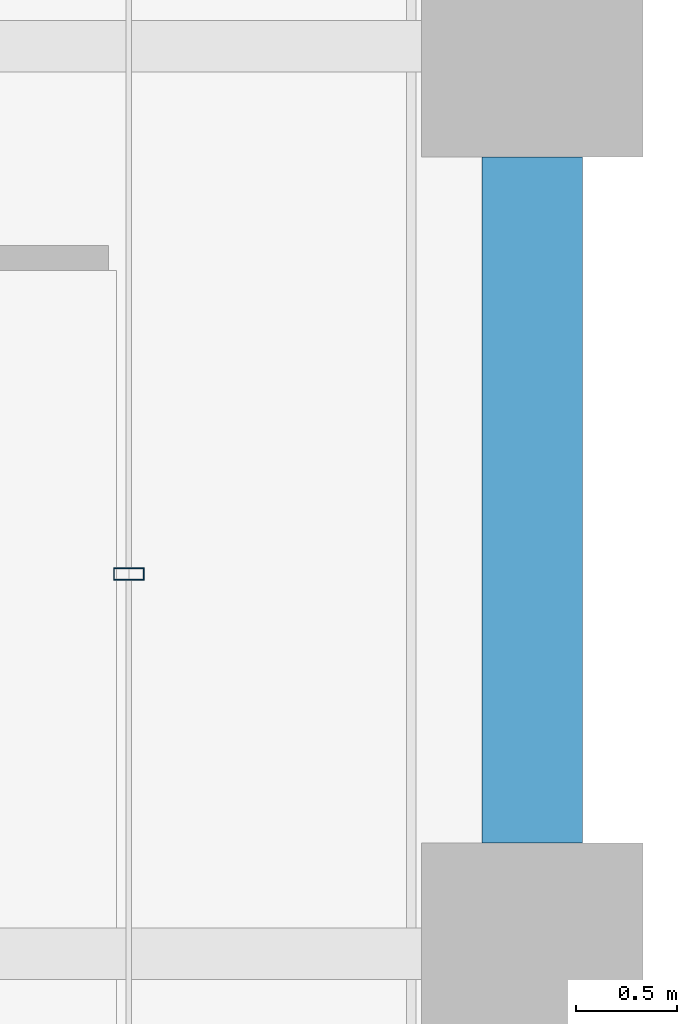
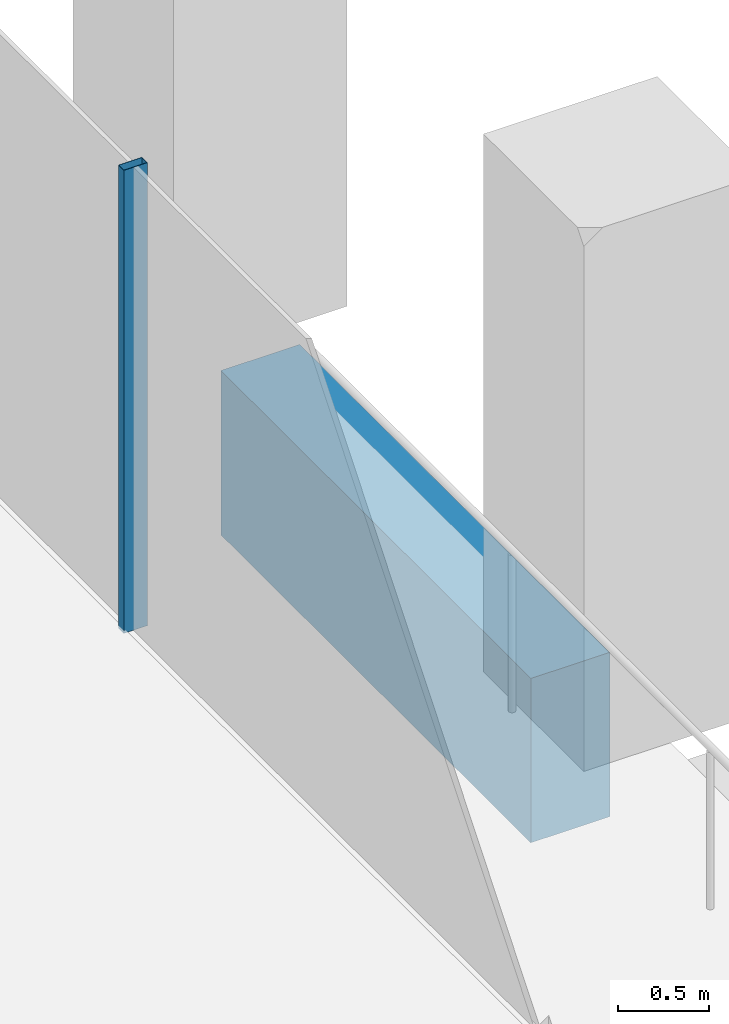
# One storey, part 20 of 54: 1 beam, 1 member, 1 element without a shape of its own.
"""IFC4 building model written with IfcOpenShell, lengths in metres."""

from ifc_helpers import new_model, si_unit, direction, frame, origin, origin_2d, place, context, subcontext, project, spatial, rectangle, hollow_rectangle, extrude, material, material_profile, profile_set, type_object, element, aggregate, save


model = new_model("IFC4")

# Units and contexts
model_context = context("Model", 3, precision=1e-05, world=origin(), true_north=direction((0.0, 1.0)))
body_context = subcontext(model_context, "Body", "Model", "MODEL_VIEW")
ifc_project = project(units=[si_unit("LENGTHUNIT", "METRE"), si_unit("AREAUNIT", "SQUARE_METRE"), si_unit("VOLUMEUNIT", "CUBIC_METRE"), si_unit("PLANEANGLEUNIT", "RADIAN"), si_unit("MASSUNIT", "GRAM", prefix="KILO")], contexts=[model_context])

# Site, building, storey
site_placement = place(None, origin())
site = spatial("IfcSite", under=ifc_project, at=site_placement, CompositionType="ELEMENT")
building_placement = place(site_placement, origin())
building = spatial("IfcBuilding", under=site, at=building_placement, Name="Altepetl Exchange Towers", CompositionType="ELEMENT")
storey_placement = place(building_placement, frame((0.0, 0.0, 61.800048828125)))
storey = spatial("IfcBuildingStorey", under=building, at=storey_placement, Name="L14", CompositionType="ELEMENT", Elevation=61.800048828125)

# Curtain wall, member
ifc_material_1 = material(Name="Aluminium 6063-T6 glazing", Category="aluminium")
curtain_wall_type = type_object("IfcCurtainWallType", Name="Loggia glazing system", PredefinedType="NOTDEFINED", material=ifc_material_1)
curtain_wall_placement = place(storey_placement, origin())
curtain_wall = element("IfcCurtainWall", 1, at=curtain_wall_placement, inside=storey, type_object=curtain_wall_type, Name="CW1 run", PredefinedType="NOTDEFINED")
ifc_material_2 = material(Name="Aluminium 6063-T6", Category="aluminium")
ifc_material_profile_1 = material_profile(ifc_material_2, hollow_rectangle(XDim=0.06005859375, YDim=0.14990234375, WallThickness=0.0029296875, at=origin_2d()), Name="Mullion 60x150 aluminium")
ifc_profile_set_1 = profile_set([ifc_material_profile_1], Name="Aluminium 6063-T6")
member_type = type_object("IfcMemberType", Name="Mullion 60x150 aluminium", PredefinedType="MULLION", material=ifc_profile_set_1)
member_placement = place(storey_placement, frame((70.0, 46.883056640625, 0.0), z_axis=(0.0, 0.0, 1.0), x_axis=(0.0, 1.0, 0.0)))
member = element("IfcMember", 2, at=member_placement, type_object=member_type, Name="MU1 mullion", PredefinedType="MULLION", context=body_context, shape_type="SweptSolid", body=[
    extrude(hollow_rectangle(XDim=0.06005859375, YDim=0.14990234375, WallThickness=0.0029296875, at=origin_2d()), origin(), (0.0, 0.0, 1.0), 3.099853515625),
])
aggregate(curtain_wall, [member])

# Beam
ifc_material_3 = material(Name="Concrete C50/60 precast with cantera amarilla facing", Category="concrete")
ifc_material_profile_2 = material_profile(ifc_material_3, rectangle(XDim=0.5, YDim=1.10009765625, at=origin_2d()), Name="500 x 1100")
ifc_profile_set_2 = profile_set([ifc_material_profile_2], Name="Concrete C50/60 precast with cantera amarilla facing")
beam_type = type_object("IfcBeamType", Name="Spandrel beam 500x1100 cantera amarilla", PredefinedType="SPANDREL", material=ifc_profile_set_2)
beam_placement = place(storey_placement, frame((72.0, 45.550048828125, -0.699951171875), z_axis=(0.0, 1.0, 0.0), x_axis=(-1.0, 0.0, 0.0)))
element("IfcBeam", 3, at=beam_placement, inside=storey, type_object=beam_type, Name="sp:A:L14:015", PredefinedType="SPANDREL", context=body_context, shape_type="SweptSolid", body=[
    extrude(rectangle(XDim=0.5, YDim=1.10009765625, at=origin_2d()), origin(), (0.0, 0.0, 1.0), 3.39990234375),
])

save(model, "model.ifc")
